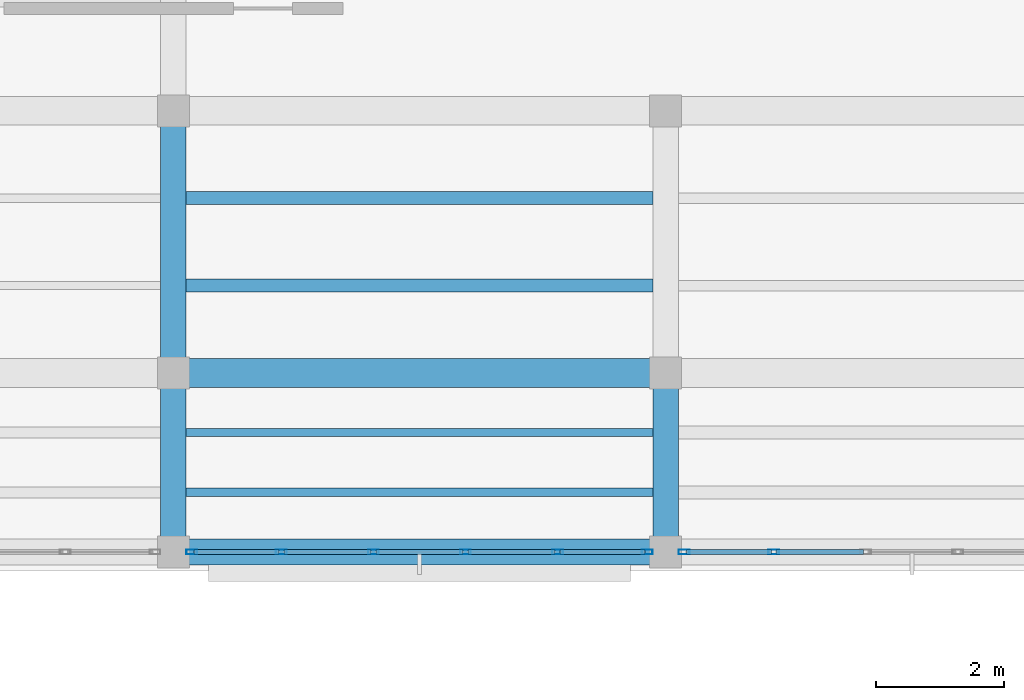
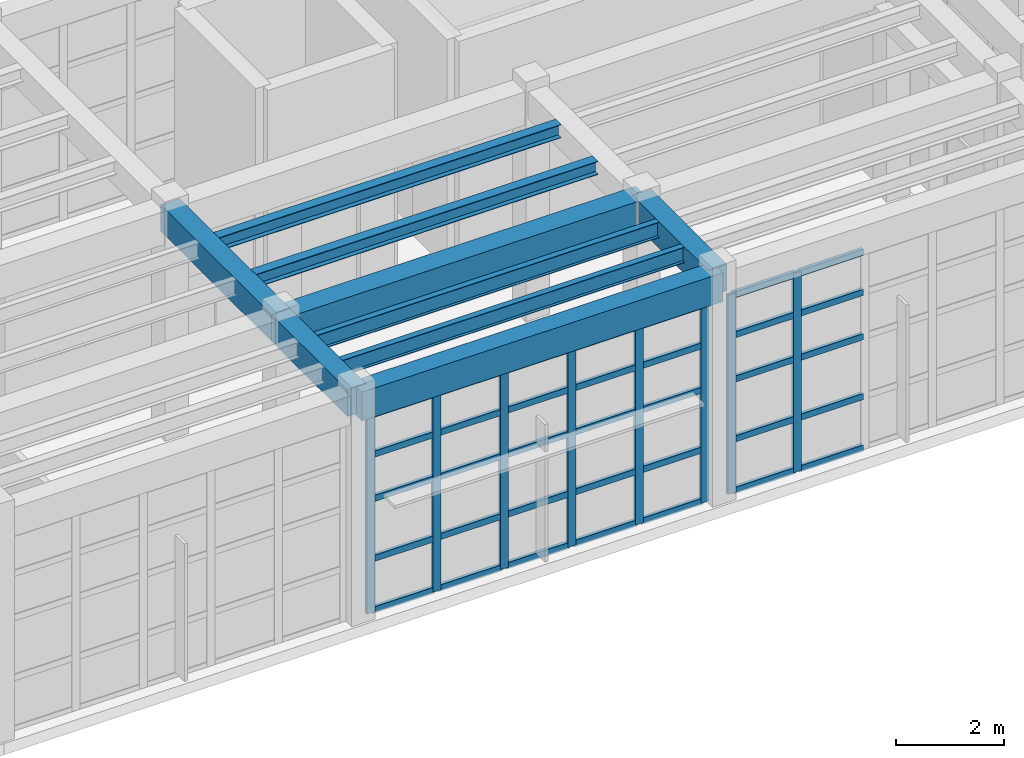
# One storey, part 29 of 103: 43 members, 9 beams, 2 elements without a shape of their own.
"""IFC4 building model written with IfcOpenShell, lengths in metres."""

from ifc_helpers import new_model, si_unit, direction, frame, origin, origin_2d, place, context, subcontext, project, spatial, rectangle, hollow_rectangle, i_section, extrude, material, layer, layer_set, material_profile, profile_set, type_object, element, aggregate, save


model = new_model("IFC4")

# Units and contexts
model_context = context("Model", 3, precision=1e-05, world=origin(), true_north=direction((0.0, 1.0)))
body_context = subcontext(model_context, "Body", "Model", "MODEL_VIEW")
ifc_project = project(units=[si_unit("LENGTHUNIT", "METRE"), si_unit("AREAUNIT", "SQUARE_METRE"), si_unit("VOLUMEUNIT", "CUBIC_METRE"), si_unit("PLANEANGLEUNIT", "RADIAN"), si_unit("MASSUNIT", "GRAM", prefix="KILO")], contexts=[model_context])

# Site, building, storey
site_placement = place(None, origin())
site = spatial("IfcSite", under=ifc_project, at=site_placement, CompositionType="ELEMENT")
building_placement = place(site_placement, origin())
building = spatial("IfcBuilding", under=site, at=building_placement, Name="Candilejo Ridge Gondola Terminal", CompositionType="ELEMENT")
storey_placement = place(building_placement, frame((0.0, 0.0, 9.0)))
storey = spatial("IfcBuildingStorey", under=building, at=storey_placement, Name="L02", CompositionType="ELEMENT", Elevation=9.0)

# Curtain wall, members
ifc_material_1 = material(Name="Anodised aluminium AA 6063-T6", Category="aluminium")
ifc_layer = layer(ifc_material_1, 0.169921875)
ifc_layer_set = layer_set([ifc_layer], Name="ARC-CW-CONCOURSE-3600-720X449")
curtain_wall_type = type_object("IfcCurtainWallType", Name="ARC-CW-CONCOURSE-3600-720X449", PredefinedType="NOTDEFINED", material=ifc_layer_set)
curtain_wall_1_placement = place(storey_placement, origin())
curtain_wall_1 = element("IfcCurtainWall", 1, at=curtain_wall_1_placement, inside=storey, type_object=curtain_wall_type, Name="Curtain wall V3 L02-091", PredefinedType="NOTDEFINED")
ifc_material_2 = material(Name="Anodised aluminium AA 6063-T6", Category="aluminium")
ifc_material_profile_1 = material_profile(ifc_material_2, hollow_rectangle(XDim=0.074951171875, YDim=0.169921875, WallThickness=0.00390625, at=origin_2d()))
ifc_profile_set_1 = profile_set([ifc_material_profile_1], Name="Anodised aluminium AA 6063-T6")
member_type_1 = type_object("IfcMemberType", Name="ARC-CW-MULLION", PredefinedType="MULLION", material=ifc_profile_set_1)
member_1_placement = place(storey_placement, frame((117.83740234375, 22.89990234375, 0.0), z_axis=(0.0, 0.0, 1.0), x_axis=(0.0, 1.0, 0.0)))
member_1 = element("IfcMember", 2, at=member_1_placement, type_object=member_type_1, Name="CW-72X44 mullion 1", PredefinedType="MULLION", context=body_context, shape_type="SweptSolid", body=[
    extrude(hollow_rectangle(XDim=0.074951171875, YDim=0.169921875, WallThickness=0.00390625, at=origin_2d()), origin(), (0.0, 0.0, 1.0), 4.489990234375),
])
member_2_placement = place(storey_placement, frame((119.239990234375, 22.89990234375, 0.0), z_axis=(0.0, 0.0, 1.0), x_axis=(0.0, 1.0, 0.0)))
member_2 = element("IfcMember", 3, at=member_2_placement, type_object=member_type_1, Name="CW-72X44 mullion 2", PredefinedType="MULLION", context=body_context, shape_type="SweptSolid", body=[
    extrude(hollow_rectangle(XDim=0.074951171875, YDim=0.169921875, WallThickness=0.00390625, at=origin_2d()), origin(), (0.0, 0.0, 1.0), 4.489990234375),
])
member_3_placement = place(storey_placement, frame((120.679931640625, 22.89990234375, 0.0), z_axis=(0.0, 0.0, 1.0), x_axis=(0.0, 1.0, 0.0)))
member_3 = element("IfcMember", 4, at=member_3_placement, type_object=member_type_1, Name="CW-72X44 mullion 3", PredefinedType="MULLION", context=body_context, shape_type="SweptSolid", body=[
    extrude(hollow_rectangle(XDim=0.074951171875, YDim=0.169921875, WallThickness=0.00390625, at=origin_2d()), origin(), (0.0, 0.0, 1.0), 4.489990234375),
])
member_4_placement = place(storey_placement, frame((122.1201171875, 22.89990234375, 0.0), z_axis=(0.0, 0.0, 1.0), x_axis=(0.0, 1.0, 0.0)))
member_4 = element("IfcMember", 5, at=member_4_placement, type_object=member_type_1, Name="CW-72X44 mullion 4", PredefinedType="MULLION", context=body_context, shape_type="SweptSolid", body=[
    extrude(hollow_rectangle(XDim=0.074951171875, YDim=0.169921875, WallThickness=0.00390625, at=origin_2d()), origin(), (0.0, 0.0, 1.0), 4.489990234375),
])
member_5_placement = place(storey_placement, frame((123.56005859375, 22.89990234375, 0.0), z_axis=(0.0, 0.0, 1.0), x_axis=(0.0, 1.0, 0.0)))
member_5 = element("IfcMember", 6, at=member_5_placement, type_object=member_type_1, Name="CW-72X44 mullion 5", PredefinedType="MULLION", context=body_context, shape_type="SweptSolid", body=[
    extrude(hollow_rectangle(XDim=0.074951171875, YDim=0.169921875, WallThickness=0.00390625, at=origin_2d()), origin(), (0.0, 0.0, 1.0), 4.489990234375),
])
member_6_placement = place(storey_placement, frame((124.96240234375, 22.89990234375, 0.0), z_axis=(0.0, 0.0, 1.0), x_axis=(0.0, 1.0, 0.0)))
member_6 = element("IfcMember", 7, at=member_6_placement, type_object=member_type_1, Name="CW-72X44 mullion 6", PredefinedType="MULLION", context=body_context, shape_type="SweptSolid", body=[
    extrude(hollow_rectangle(XDim=0.074951171875, YDim=0.169921875, WallThickness=0.00390625, at=origin_2d()), origin(), (0.0, 0.0, 1.0), 4.489990234375),
])

curtain_wall_2_placement = place(storey_placement, origin())
curtain_wall_2 = element("IfcCurtainWall", 8, at=curtain_wall_2_placement, inside=storey, type_object=curtain_wall_type, Name="Curtain wall V3 L02-093", PredefinedType="NOTDEFINED")
member_7_placement = place(storey_placement, frame((125.53759765625, 22.89990234375, 0.0), z_axis=(0.0, 0.0, 1.0), x_axis=(0.0, 1.0, 0.0)))
member_7 = element("IfcMember", 9, at=member_7_placement, type_object=member_type_1, Name="CW-72X44 mullion 1", PredefinedType="MULLION", context=body_context, shape_type="SweptSolid", body=[
    extrude(hollow_rectangle(XDim=0.074951171875, YDim=0.169921875, WallThickness=0.00390625, at=origin_2d()), origin(), (0.0, 0.0, 1.0), 4.489990234375),
])
member_8_placement = place(storey_placement, frame((126.93994140625, 22.89990234375, 0.0), z_axis=(0.0, 0.0, 1.0), x_axis=(0.0, 1.0, 0.0)))
member_8 = element("IfcMember", 10, at=member_8_placement, type_object=member_type_1, Name="CW-72X44 mullion 2", PredefinedType="MULLION", context=body_context, shape_type="SweptSolid", body=[
    extrude(hollow_rectangle(XDim=0.074951171875, YDim=0.169921875, WallThickness=0.00390625, at=origin_2d()), origin(), (0.0, 0.0, 1.0), 4.489990234375),
])

# Member
ifc_material_3 = material(Name="Anodised aluminium AA 6063-T6", Category="aluminium")
ifc_material_profile_2 = material_profile(ifc_material_3, hollow_rectangle(XDim=0.074951171875, YDim=0.139892578125, WallThickness=0.00390625, at=origin_2d()))
ifc_profile_set_2 = profile_set([ifc_material_profile_2], Name="Anodised aluminium AA 6063-T6")
member_type_2 = type_object("IfcMemberType", Name="ARC-CW-TRANSOM", PredefinedType="USERDEFINED", material=ifc_profile_set_2)
member_9_placement = place(storey_placement, frame((117.875, 22.89990234375, 0.03759765625), z_axis=(1.0, 0.0, 0.0), x_axis=(0.0, 1.0, 0.0)))
member_9 = element("IfcMember", 11, at=member_9_placement, type_object=member_type_2, Name="CW-72X44 transom 1.1", ObjectType="TRANSOM", PredefinedType="USERDEFINED", context=body_context, shape_type="SweptSolid", body=[
    extrude(hollow_rectangle(XDim=0.074951171875, YDim=0.139892578125, WallThickness=0.00390625, at=origin_2d()), origin(), (0.0, 0.0, 1.0), 1.327392578125),
])

member_10_placement = place(storey_placement, frame((117.875, 22.89990234375, 1.199951171875), z_axis=(1.0, 0.0, 0.0), x_axis=(0.0, 1.0, 0.0)))
member_10 = element("IfcMember", 12, at=member_10_placement, type_object=member_type_2, Name="CW-72X44 transom 1.2", ObjectType="TRANSOM", PredefinedType="USERDEFINED", context=body_context, shape_type="SweptSolid", body=[
    extrude(hollow_rectangle(XDim=0.074951171875, YDim=0.139892578125, WallThickness=0.00390625, at=origin_2d()), origin(), (0.0, 0.0, 1.0), 1.327392578125),
])

member_11_placement = place(storey_placement, frame((117.875, 22.89990234375, 2.550048828125), z_axis=(1.0, 0.0, 0.0), x_axis=(0.0, 1.0, 0.0)))
member_11 = element("IfcMember", 13, at=member_11_placement, type_object=member_type_2, Name="CW-72X44 transom 1.3", ObjectType="TRANSOM", PredefinedType="USERDEFINED", context=body_context, shape_type="SweptSolid", body=[
    extrude(hollow_rectangle(XDim=0.074951171875, YDim=0.139892578125, WallThickness=0.00390625, at=origin_2d()), origin(), (0.0, 0.0, 1.0), 1.327392578125),
])

member_12_placement = place(storey_placement, frame((117.875, 22.89990234375, 3.550048828125), z_axis=(1.0, 0.0, 0.0), x_axis=(0.0, 1.0, 0.0)))
member_12 = element("IfcMember", 14, at=member_12_placement, type_object=member_type_2, Name="CW-72X44 transom 1.4", ObjectType="TRANSOM", PredefinedType="USERDEFINED", context=body_context, shape_type="SweptSolid", body=[
    extrude(hollow_rectangle(XDim=0.074951171875, YDim=0.139892578125, WallThickness=0.00390625, at=origin_2d()), origin(), (0.0, 0.0, 1.0), 1.327392578125),
])

member_13_placement = place(storey_placement, frame((117.875, 22.89990234375, 4.452392578125), z_axis=(1.0, 0.0, 0.0), x_axis=(0.0, 1.0, 0.0)))
member_13 = element("IfcMember", 15, at=member_13_placement, type_object=member_type_2, Name="CW-72X44 transom 1.5", ObjectType="TRANSOM", PredefinedType="USERDEFINED", context=body_context, shape_type="SweptSolid", body=[
    extrude(hollow_rectangle(XDim=0.074951171875, YDim=0.139892578125, WallThickness=0.00390625, at=origin_2d()), origin(), (0.0, 0.0, 1.0), 1.327392578125),
])

member_14_placement = place(storey_placement, frame((119.277587890625, 22.89990234375, 0.03759765625), z_axis=(1.0, 0.0, 0.0), x_axis=(0.0, 1.0, 0.0)))
member_14 = element("IfcMember", 16, at=member_14_placement, type_object=member_type_2, Name="CW-72X44 transom 2.1", ObjectType="TRANSOM", PredefinedType="USERDEFINED", context=body_context, shape_type="SweptSolid", body=[
    extrude(hollow_rectangle(XDim=0.074951171875, YDim=0.139892578125, WallThickness=0.00390625, at=origin_2d()), origin(), (0.0, 0.0, 1.0), 1.364990234375),
])

member_15_placement = place(storey_placement, frame((119.277587890625, 22.89990234375, 1.199951171875), z_axis=(1.0, 0.0, 0.0), x_axis=(0.0, 1.0, 0.0)))
member_15 = element("IfcMember", 17, at=member_15_placement, type_object=member_type_2, Name="CW-72X44 transom 2.2", ObjectType="TRANSOM", PredefinedType="USERDEFINED", context=body_context, shape_type="SweptSolid", body=[
    extrude(hollow_rectangle(XDim=0.074951171875, YDim=0.139892578125, WallThickness=0.00390625, at=origin_2d()), origin(), (0.0, 0.0, 1.0), 1.364990234375),
])

member_16_placement = place(storey_placement, frame((119.277587890625, 22.89990234375, 2.550048828125), z_axis=(1.0, 0.0, 0.0), x_axis=(0.0, 1.0, 0.0)))
member_16 = element("IfcMember", 18, at=member_16_placement, type_object=member_type_2, Name="CW-72X44 transom 2.3", ObjectType="TRANSOM", PredefinedType="USERDEFINED", context=body_context, shape_type="SweptSolid", body=[
    extrude(hollow_rectangle(XDim=0.074951171875, YDim=0.139892578125, WallThickness=0.00390625, at=origin_2d()), origin(), (0.0, 0.0, 1.0), 1.364990234375),
])

member_17_placement = place(storey_placement, frame((119.277587890625, 22.89990234375, 3.550048828125), z_axis=(1.0, 0.0, 0.0), x_axis=(0.0, 1.0, 0.0)))
member_17 = element("IfcMember", 19, at=member_17_placement, type_object=member_type_2, Name="CW-72X44 transom 2.4", ObjectType="TRANSOM", PredefinedType="USERDEFINED", context=body_context, shape_type="SweptSolid", body=[
    extrude(hollow_rectangle(XDim=0.074951171875, YDim=0.139892578125, WallThickness=0.00390625, at=origin_2d()), origin(), (0.0, 0.0, 1.0), 1.364990234375),
])

member_18_placement = place(storey_placement, frame((119.277587890625, 22.89990234375, 4.452392578125), z_axis=(1.0, 0.0, 0.0), x_axis=(0.0, 1.0, 0.0)))
member_18 = element("IfcMember", 20, at=member_18_placement, type_object=member_type_2, Name="CW-72X44 transom 2.5", ObjectType="TRANSOM", PredefinedType="USERDEFINED", context=body_context, shape_type="SweptSolid", body=[
    extrude(hollow_rectangle(XDim=0.074951171875, YDim=0.139892578125, WallThickness=0.00390625, at=origin_2d()), origin(), (0.0, 0.0, 1.0), 1.364990234375),
])

member_19_placement = place(storey_placement, frame((120.717529296875, 22.89990234375, 0.03759765625), z_axis=(1.0, 0.0, 0.0), x_axis=(0.0, 1.0, 0.0)))
member_19 = element("IfcMember", 21, at=member_19_placement, type_object=member_type_2, Name="CW-72X44 transom 3.1", ObjectType="TRANSOM", PredefinedType="USERDEFINED", context=body_context, shape_type="SweptSolid", body=[
    extrude(hollow_rectangle(XDim=0.074951171875, YDim=0.139892578125, WallThickness=0.00390625, at=origin_2d()), origin(), (0.0, 0.0, 1.0), 1.364990234375),
])

member_20_placement = place(storey_placement, frame((120.717529296875, 22.89990234375, 1.199951171875), z_axis=(1.0, 0.0, 0.0), x_axis=(0.0, 1.0, 0.0)))
member_20 = element("IfcMember", 22, at=member_20_placement, type_object=member_type_2, Name="CW-72X44 transom 3.2", ObjectType="TRANSOM", PredefinedType="USERDEFINED", context=body_context, shape_type="SweptSolid", body=[
    extrude(hollow_rectangle(XDim=0.074951171875, YDim=0.139892578125, WallThickness=0.00390625, at=origin_2d()), origin(), (0.0, 0.0, 1.0), 1.364990234375),
])

member_21_placement = place(storey_placement, frame((120.717529296875, 22.89990234375, 2.550048828125), z_axis=(1.0, 0.0, 0.0), x_axis=(0.0, 1.0, 0.0)))
member_21 = element("IfcMember", 23, at=member_21_placement, type_object=member_type_2, Name="CW-72X44 transom 3.3", ObjectType="TRANSOM", PredefinedType="USERDEFINED", context=body_context, shape_type="SweptSolid", body=[
    extrude(hollow_rectangle(XDim=0.074951171875, YDim=0.139892578125, WallThickness=0.00390625, at=origin_2d()), origin(), (0.0, 0.0, 1.0), 1.364990234375),
])

member_22_placement = place(storey_placement, frame((120.717529296875, 22.89990234375, 3.550048828125), z_axis=(1.0, 0.0, 0.0), x_axis=(0.0, 1.0, 0.0)))
member_22 = element("IfcMember", 24, at=member_22_placement, type_object=member_type_2, Name="CW-72X44 transom 3.4", ObjectType="TRANSOM", PredefinedType="USERDEFINED", context=body_context, shape_type="SweptSolid", body=[
    extrude(hollow_rectangle(XDim=0.074951171875, YDim=0.139892578125, WallThickness=0.00390625, at=origin_2d()), origin(), (0.0, 0.0, 1.0), 1.364990234375),
])

member_23_placement = place(storey_placement, frame((120.717529296875, 22.89990234375, 4.452392578125), z_axis=(1.0, 0.0, 0.0), x_axis=(0.0, 1.0, 0.0)))
member_23 = element("IfcMember", 25, at=member_23_placement, type_object=member_type_2, Name="CW-72X44 transom 3.5", ObjectType="TRANSOM", PredefinedType="USERDEFINED", context=body_context, shape_type="SweptSolid", body=[
    extrude(hollow_rectangle(XDim=0.074951171875, YDim=0.139892578125, WallThickness=0.00390625, at=origin_2d()), origin(), (0.0, 0.0, 1.0), 1.364990234375),
])

member_24_placement = place(storey_placement, frame((122.157470703125, 22.89990234375, 0.03759765625), z_axis=(1.0, 0.0, 0.0), x_axis=(0.0, 1.0, 0.0)))
member_24 = element("IfcMember", 26, at=member_24_placement, type_object=member_type_2, Name="CW-72X44 transom 4.1", ObjectType="TRANSOM", PredefinedType="USERDEFINED", context=body_context, shape_type="SweptSolid", body=[
    extrude(hollow_rectangle(XDim=0.074951171875, YDim=0.139892578125, WallThickness=0.00390625, at=origin_2d()), origin(), (0.0, 0.0, 1.0), 1.364990234375),
])

member_25_placement = place(storey_placement, frame((122.157470703125, 22.89990234375, 1.199951171875), z_axis=(1.0, 0.0, 0.0), x_axis=(0.0, 1.0, 0.0)))
member_25 = element("IfcMember", 27, at=member_25_placement, type_object=member_type_2, Name="CW-72X44 transom 4.2", ObjectType="TRANSOM", PredefinedType="USERDEFINED", context=body_context, shape_type="SweptSolid", body=[
    extrude(hollow_rectangle(XDim=0.074951171875, YDim=0.139892578125, WallThickness=0.00390625, at=origin_2d()), origin(), (0.0, 0.0, 1.0), 1.364990234375),
])

member_26_placement = place(storey_placement, frame((122.157470703125, 22.89990234375, 2.550048828125), z_axis=(1.0, 0.0, 0.0), x_axis=(0.0, 1.0, 0.0)))
member_26 = element("IfcMember", 28, at=member_26_placement, type_object=member_type_2, Name="CW-72X44 transom 4.3", ObjectType="TRANSOM", PredefinedType="USERDEFINED", context=body_context, shape_type="SweptSolid", body=[
    extrude(hollow_rectangle(XDim=0.074951171875, YDim=0.139892578125, WallThickness=0.00390625, at=origin_2d()), origin(), (0.0, 0.0, 1.0), 1.364990234375),
])

member_27_placement = place(storey_placement, frame((122.157470703125, 22.89990234375, 3.550048828125), z_axis=(1.0, 0.0, 0.0), x_axis=(0.0, 1.0, 0.0)))
member_27 = element("IfcMember", 29, at=member_27_placement, type_object=member_type_2, Name="CW-72X44 transom 4.4", ObjectType="TRANSOM", PredefinedType="USERDEFINED", context=body_context, shape_type="SweptSolid", body=[
    extrude(hollow_rectangle(XDim=0.074951171875, YDim=0.139892578125, WallThickness=0.00390625, at=origin_2d()), origin(), (0.0, 0.0, 1.0), 1.364990234375),
])

member_28_placement = place(storey_placement, frame((122.157470703125, 22.89990234375, 4.452392578125), z_axis=(1.0, 0.0, 0.0), x_axis=(0.0, 1.0, 0.0)))
member_28 = element("IfcMember", 30, at=member_28_placement, type_object=member_type_2, Name="CW-72X44 transom 4.5", ObjectType="TRANSOM", PredefinedType="USERDEFINED", context=body_context, shape_type="SweptSolid", body=[
    extrude(hollow_rectangle(XDim=0.074951171875, YDim=0.139892578125, WallThickness=0.00390625, at=origin_2d()), origin(), (0.0, 0.0, 1.0), 1.364990234375),
])

member_29_placement = place(storey_placement, frame((123.597412109375, 22.89990234375, 0.03759765625), z_axis=(1.0, 0.0, 0.0), x_axis=(0.0, 1.0, 0.0)))
member_29 = element("IfcMember", 31, at=member_29_placement, type_object=member_type_2, Name="CW-72X44 transom 5.1", ObjectType="TRANSOM", PredefinedType="USERDEFINED", context=body_context, shape_type="SweptSolid", body=[
    extrude(hollow_rectangle(XDim=0.074951171875, YDim=0.139892578125, WallThickness=0.00390625, at=origin_2d()), origin(), (0.0, 0.0, 1.0), 1.32763671875),
])

member_30_placement = place(storey_placement, frame((123.597412109375, 22.89990234375, 1.199951171875), z_axis=(1.0, 0.0, 0.0), x_axis=(0.0, 1.0, 0.0)))
member_30 = element("IfcMember", 32, at=member_30_placement, type_object=member_type_2, Name="CW-72X44 transom 5.2", ObjectType="TRANSOM", PredefinedType="USERDEFINED", context=body_context, shape_type="SweptSolid", body=[
    extrude(hollow_rectangle(XDim=0.074951171875, YDim=0.139892578125, WallThickness=0.00390625, at=origin_2d()), origin(), (0.0, 0.0, 1.0), 1.32763671875),
])

member_31_placement = place(storey_placement, frame((123.597412109375, 22.89990234375, 2.550048828125), z_axis=(1.0, 0.0, 0.0), x_axis=(0.0, 1.0, 0.0)))
member_31 = element("IfcMember", 33, at=member_31_placement, type_object=member_type_2, Name="CW-72X44 transom 5.3", ObjectType="TRANSOM", PredefinedType="USERDEFINED", context=body_context, shape_type="SweptSolid", body=[
    extrude(hollow_rectangle(XDim=0.074951171875, YDim=0.139892578125, WallThickness=0.00390625, at=origin_2d()), origin(), (0.0, 0.0, 1.0), 1.32763671875),
])

member_32_placement = place(storey_placement, frame((123.597412109375, 22.89990234375, 3.550048828125), z_axis=(1.0, 0.0, 0.0), x_axis=(0.0, 1.0, 0.0)))
member_32 = element("IfcMember", 34, at=member_32_placement, type_object=member_type_2, Name="CW-72X44 transom 5.4", ObjectType="TRANSOM", PredefinedType="USERDEFINED", context=body_context, shape_type="SweptSolid", body=[
    extrude(hollow_rectangle(XDim=0.074951171875, YDim=0.139892578125, WallThickness=0.00390625, at=origin_2d()), origin(), (0.0, 0.0, 1.0), 1.32763671875),
])

member_33_placement = place(storey_placement, frame((123.597412109375, 22.89990234375, 4.452392578125), z_axis=(1.0, 0.0, 0.0), x_axis=(0.0, 1.0, 0.0)))
member_33 = element("IfcMember", 35, at=member_33_placement, type_object=member_type_2, Name="CW-72X44 transom 5.5", ObjectType="TRANSOM", PredefinedType="USERDEFINED", context=body_context, shape_type="SweptSolid", body=[
    extrude(hollow_rectangle(XDim=0.074951171875, YDim=0.139892578125, WallThickness=0.00390625, at=origin_2d()), origin(), (0.0, 0.0, 1.0), 1.32763671875),
])

aggregate(curtain_wall_1, [member_1, member_2, member_3, member_4, member_5, member_6, member_9, member_10, member_11, member_12, member_13, member_14, member_15, member_16, member_17, member_18, member_19, member_20, member_21, member_22, member_23, member_24, member_25, member_26, member_27, member_28, member_29, member_30, member_31, member_32, member_33])

member_34_placement = place(storey_placement, frame((125.574951171875, 22.89990234375, 0.03759765625), z_axis=(1.0, 0.0, 0.0), x_axis=(0.0, 1.0, 0.0)))
member_34 = element("IfcMember", 36, at=member_34_placement, type_object=member_type_2, Name="CW-72X44 transom 1.1", ObjectType="TRANSOM", PredefinedType="USERDEFINED", context=body_context, shape_type="SweptSolid", body=[
    extrude(hollow_rectangle(XDim=0.074951171875, YDim=0.139892578125, WallThickness=0.00390625, at=origin_2d()), origin(), (0.0, 0.0, 1.0), 1.32763671875),
])

member_35_placement = place(storey_placement, frame((125.574951171875, 22.89990234375, 1.199951171875), z_axis=(1.0, 0.0, 0.0), x_axis=(0.0, 1.0, 0.0)))
member_35 = element("IfcMember", 37, at=member_35_placement, type_object=member_type_2, Name="CW-72X44 transom 1.2", ObjectType="TRANSOM", PredefinedType="USERDEFINED", context=body_context, shape_type="SweptSolid", body=[
    extrude(hollow_rectangle(XDim=0.074951171875, YDim=0.139892578125, WallThickness=0.00390625, at=origin_2d()), origin(), (0.0, 0.0, 1.0), 1.32763671875),
])

member_36_placement = place(storey_placement, frame((125.574951171875, 22.89990234375, 2.550048828125), z_axis=(1.0, 0.0, 0.0), x_axis=(0.0, 1.0, 0.0)))
member_36 = element("IfcMember", 38, at=member_36_placement, type_object=member_type_2, Name="CW-72X44 transom 1.3", ObjectType="TRANSOM", PredefinedType="USERDEFINED", context=body_context, shape_type="SweptSolid", body=[
    extrude(hollow_rectangle(XDim=0.074951171875, YDim=0.139892578125, WallThickness=0.00390625, at=origin_2d()), origin(), (0.0, 0.0, 1.0), 1.32763671875),
])

member_37_placement = place(storey_placement, frame((125.574951171875, 22.89990234375, 3.550048828125), z_axis=(1.0, 0.0, 0.0), x_axis=(0.0, 1.0, 0.0)))
member_37 = element("IfcMember", 39, at=member_37_placement, type_object=member_type_2, Name="CW-72X44 transom 1.4", ObjectType="TRANSOM", PredefinedType="USERDEFINED", context=body_context, shape_type="SweptSolid", body=[
    extrude(hollow_rectangle(XDim=0.074951171875, YDim=0.139892578125, WallThickness=0.00390625, at=origin_2d()), origin(), (0.0, 0.0, 1.0), 1.32763671875),
])

member_38_placement = place(storey_placement, frame((125.574951171875, 22.89990234375, 4.452392578125), z_axis=(1.0, 0.0, 0.0), x_axis=(0.0, 1.0, 0.0)))
member_38 = element("IfcMember", 40, at=member_38_placement, type_object=member_type_2, Name="CW-72X44 transom 1.5", ObjectType="TRANSOM", PredefinedType="USERDEFINED", context=body_context, shape_type="SweptSolid", body=[
    extrude(hollow_rectangle(XDim=0.074951171875, YDim=0.139892578125, WallThickness=0.00390625, at=origin_2d()), origin(), (0.0, 0.0, 1.0), 1.32763671875),
])

member_39_placement = place(storey_placement, frame((126.9775390625, 22.89990234375, 0.03759765625), z_axis=(1.0, 0.0, 0.0), x_axis=(0.0, 1.0, 0.0)))
member_39 = element("IfcMember", 41, at=member_39_placement, type_object=member_type_2, Name="CW-72X44 transom 2.1", ObjectType="TRANSOM", PredefinedType="USERDEFINED", context=body_context, shape_type="SweptSolid", body=[
    extrude(hollow_rectangle(XDim=0.074951171875, YDim=0.139892578125, WallThickness=0.00390625, at=origin_2d()), origin(), (0.0, 0.0, 1.0), 1.364990234375),
])

member_40_placement = place(storey_placement, frame((126.9775390625, 22.89990234375, 1.199951171875), z_axis=(1.0, 0.0, 0.0), x_axis=(0.0, 1.0, 0.0)))
member_40 = element("IfcMember", 42, at=member_40_placement, type_object=member_type_2, Name="CW-72X44 transom 2.2", ObjectType="TRANSOM", PredefinedType="USERDEFINED", context=body_context, shape_type="SweptSolid", body=[
    extrude(hollow_rectangle(XDim=0.074951171875, YDim=0.139892578125, WallThickness=0.00390625, at=origin_2d()), origin(), (0.0, 0.0, 1.0), 1.364990234375),
])

member_41_placement = place(storey_placement, frame((126.9775390625, 22.89990234375, 2.550048828125), z_axis=(1.0, 0.0, 0.0), x_axis=(0.0, 1.0, 0.0)))
member_41 = element("IfcMember", 43, at=member_41_placement, type_object=member_type_2, Name="CW-72X44 transom 2.3", ObjectType="TRANSOM", PredefinedType="USERDEFINED", context=body_context, shape_type="SweptSolid", body=[
    extrude(hollow_rectangle(XDim=0.074951171875, YDim=0.139892578125, WallThickness=0.00390625, at=origin_2d()), origin(), (0.0, 0.0, 1.0), 1.364990234375),
])

member_42_placement = place(storey_placement, frame((126.9775390625, 22.89990234375, 3.550048828125), z_axis=(1.0, 0.0, 0.0), x_axis=(0.0, 1.0, 0.0)))
member_42 = element("IfcMember", 44, at=member_42_placement, type_object=member_type_2, Name="CW-72X44 transom 2.4", ObjectType="TRANSOM", PredefinedType="USERDEFINED", context=body_context, shape_type="SweptSolid", body=[
    extrude(hollow_rectangle(XDim=0.074951171875, YDim=0.139892578125, WallThickness=0.00390625, at=origin_2d()), origin(), (0.0, 0.0, 1.0), 1.364990234375),
])

member_43_placement = place(storey_placement, frame((126.9775390625, 22.89990234375, 4.452392578125), z_axis=(1.0, 0.0, 0.0), x_axis=(0.0, 1.0, 0.0)))
member_43 = element("IfcMember", 45, at=member_43_placement, type_object=member_type_2, Name="CW-72X44 transom 2.5", ObjectType="TRANSOM", PredefinedType="USERDEFINED", context=body_context, shape_type="SweptSolid", body=[
    extrude(hollow_rectangle(XDim=0.074951171875, YDim=0.139892578125, WallThickness=0.00390625, at=origin_2d()), origin(), (0.0, 0.0, 1.0), 1.364990234375),
])

aggregate(curtain_wall_2, [member_7, member_8, member_34, member_35, member_36, member_37, member_38, member_39, member_40, member_41, member_42, member_43])

# Beams
ifc_material_4 = material(Name="Concrete f'c 35 MPa (C35/45)", Category="concrete")
ifc_material_profile_3 = material_profile(ifc_material_4, rectangle(XDim=0.39990234375, YDim=0.60009765625, at=origin_2d()))
ifc_profile_set_3 = profile_set([ifc_material_profile_3], Name="Concrete f'c 35 MPa (C35/45)")
beam_type_1 = type_object("IfcBeamType", Name="STR-BM-RC400X600", PredefinedType="BEAM", material=ifc_profile_set_3)
beam_1_placement = place(storey_placement, frame((117.550048828125, 22.89990234375, 4.875), z_axis=(0.0, 1.0, 0.0), x_axis=(-1.0, 0.0, 0.0)))
element("IfcBeam", 46, at=beam_1_placement, inside=storey, type_object=beam_type_1, Name="Beam Y V3 L02 Y04-Y05@X18", PredefinedType="BEAM", context=body_context, shape_type="SweptSolid", body=[
    extrude(rectangle(XDim=0.39990234375, YDim=0.60009765625, at=origin_2d()), origin(), (0.0, 0.0, 1.0), 2.800048828125),
])
beam_2_placement = place(storey_placement, frame((117.550048828125, 25.699951171875, 4.875), z_axis=(0.0, 1.0, 0.0), x_axis=(-1.0, 0.0, 0.0)))
element("IfcBeam", 47, at=beam_2_placement, inside=storey, type_object=beam_type_1, Name="Beam Y V3 L02 Y05-Y06@X18", PredefinedType="BEAM", context=body_context, shape_type="SweptSolid", body=[
    extrude(rectangle(XDim=0.39990234375, YDim=0.60009765625, at=origin_2d()), origin(), (0.0, 0.0, 1.0), 4.10009765625),
])
beam_3_placement = place(storey_placement, frame((125.25, 22.89990234375, 4.875), z_axis=(0.0, 1.0, 0.0), x_axis=(-1.0, 0.0, 0.0)))
element("IfcBeam", 48, at=beam_3_placement, inside=storey, type_object=beam_type_1, Name="Beam Y V3 L02 Y04-Y05@X19", PredefinedType="BEAM", context=body_context, shape_type="SweptSolid", body=[
    extrude(rectangle(XDim=0.39990234375, YDim=0.60009765625, at=origin_2d()), origin(), (0.0, 0.0, 1.0), 2.800048828125),
])
ifc_material_5 = material(Name="Concrete f'c 35 MPa (C35/45)", Category="concrete")
ifc_material_profile_4 = material_profile(ifc_material_5, rectangle(XDim=0.449951171875, YDim=0.75, at=origin_2d()))
ifc_profile_set_4 = profile_set([ifc_material_profile_4], Name="Concrete f'c 35 MPa (C35/45)")
beam_type_2 = type_object("IfcBeamType", Name="STR-BM-RC450X750", PredefinedType="BEAM", material=ifc_profile_set_4)
beam_4_placement = place(storey_placement, frame((117.550048828125, 25.699951171875, 4.800048828125), z_axis=(1.0, 0.0, 0.0), x_axis=(0.0, 1.0, 0.0)))
element("IfcBeam", 49, at=beam_4_placement, inside=storey, type_object=beam_type_2, Name="Beam X V3 L02 X18-X19@Y05", PredefinedType="BEAM", context=body_context, shape_type="SweptSolid", body=[
    extrude(rectangle(XDim=0.449951171875, YDim=0.75, at=origin_2d()), origin(), (0.0, 0.0, 1.0), 7.699951171875),
])
ifc_material_6 = material(Name="Steel ASTM A992 Grade 50", Category="steel")
ifc_material_profile_5 = material_profile(ifc_material_6, i_section(OverallWidth=0.202880859375, OverallDepth=0.302978515625, WebThickness=0.007568359375, FlangeThickness=0.01318359375, at=origin_2d()))
ifc_profile_set_5 = profile_set([ifc_material_profile_5], Name="Steel ASTM A992 Grade 50")
beam_type_3 = type_object("IfcBeamType", Name="STR-JST-W310X60", PredefinedType="JOIST", material=ifc_profile_set_5)
for number, where, z_axis, x_axis, name in (
    (50, (117.75, 27.066650390625, 5.0234375), (1.0, 0.0, 0.0), (0.0, 1.0, 0.0), "Composite joist V3 L02-0576"),
    (51, (117.75, 28.433349609375, 5.0234375), (1.0, 0.0, 0.0), (0.0, 1.0, 0.0), "Composite joist V3 L02-0577"),
):
    element("IfcBeam", number, at=place(storey_placement, frame(where, z_axis=z_axis, x_axis=x_axis)), inside=storey, type_object=beam_type_3, Name=name, PredefinedType="JOIST", context=body_context, shape_type="SweptSolid", body=[
        extrude(i_section(OverallWidth=0.202880859375, OverallDepth=0.302978515625, WebThickness=0.007568359375, FlangeThickness=0.01318359375, at=origin_2d()), origin(), (0.0, 0.0, 1.0), 7.300048828125),
    ])
ifc_material_7 = material(Name="Steel ASTM A992 Grade 50", Category="steel")
ifc_material_profile_6 = material_profile(ifc_material_7, i_section(OverallWidth=0.1279296875, OverallDepth=0.35302734375, WebThickness=0.006591796875, FlangeThickness=0.0107421875, at=origin_2d()))
ifc_profile_set_6 = profile_set([ifc_material_profile_6], Name="Steel ASTM A992 Grade 50")
beam_type_4 = type_object("IfcBeamType", Name="STR-JST-W360X39", PredefinedType="JOIST", material=ifc_profile_set_6)
for number, where, z_axis, x_axis, name in (
    (52, (117.75, 23.833251953125, 4.99853515625), (1.0, 0.0, 0.0), (0.0, 1.0, 0.0), "Composite joist V3 L02-0574"),
    (53, (117.75, 24.7666015625, 4.99853515625), (1.0, 0.0, 0.0), (0.0, 1.0, 0.0), "Composite joist V3 L02-0575"),
):
    element("IfcBeam", number, at=place(storey_placement, frame(where, z_axis=z_axis, x_axis=x_axis)), inside=storey, type_object=beam_type_4, Name=name, PredefinedType="JOIST", context=body_context, shape_type="SweptSolid", body=[
        extrude(i_section(OverallWidth=0.1279296875, OverallDepth=0.35302734375, WebThickness=0.006591796875, FlangeThickness=0.0107421875, at=origin_2d()), origin(), (0.0, 0.0, 1.0), 7.300048828125),
    ])
ifc_material_8 = material(Name="Concrete f'c 35 MPa (C35/45)", Category="concrete")
ifc_material_profile_7 = material_profile(ifc_material_8, rectangle(XDim=0.39990234375, YDim=0.64990234375, at=origin_2d()))
ifc_profile_set_7 = profile_set([ifc_material_profile_7], Name="Concrete f'c 35 MPa (C35/45)")
beam_type_5 = type_object("IfcBeamType", Name="STR-SPN-RC400X650", PredefinedType="SPANDREL", material=ifc_profile_set_7)
beam_5_placement = place(storey_placement, frame((117.550048828125, 22.89990234375, 4.85009765625), z_axis=(1.0, 0.0, 0.0), x_axis=(0.0, 1.0, 0.0)))
element("IfcBeam", 54, at=beam_5_placement, inside=storey, type_object=beam_type_5, Name="Beam X V3 L02 X18-X19@Y04", PredefinedType="SPANDREL", context=body_context, shape_type="SweptSolid", body=[
    extrude(rectangle(XDim=0.39990234375, YDim=0.64990234375, at=origin_2d()), origin(), (0.0, 0.0, 1.0), 7.699951171875),
])

save(model, "model.ifc")
